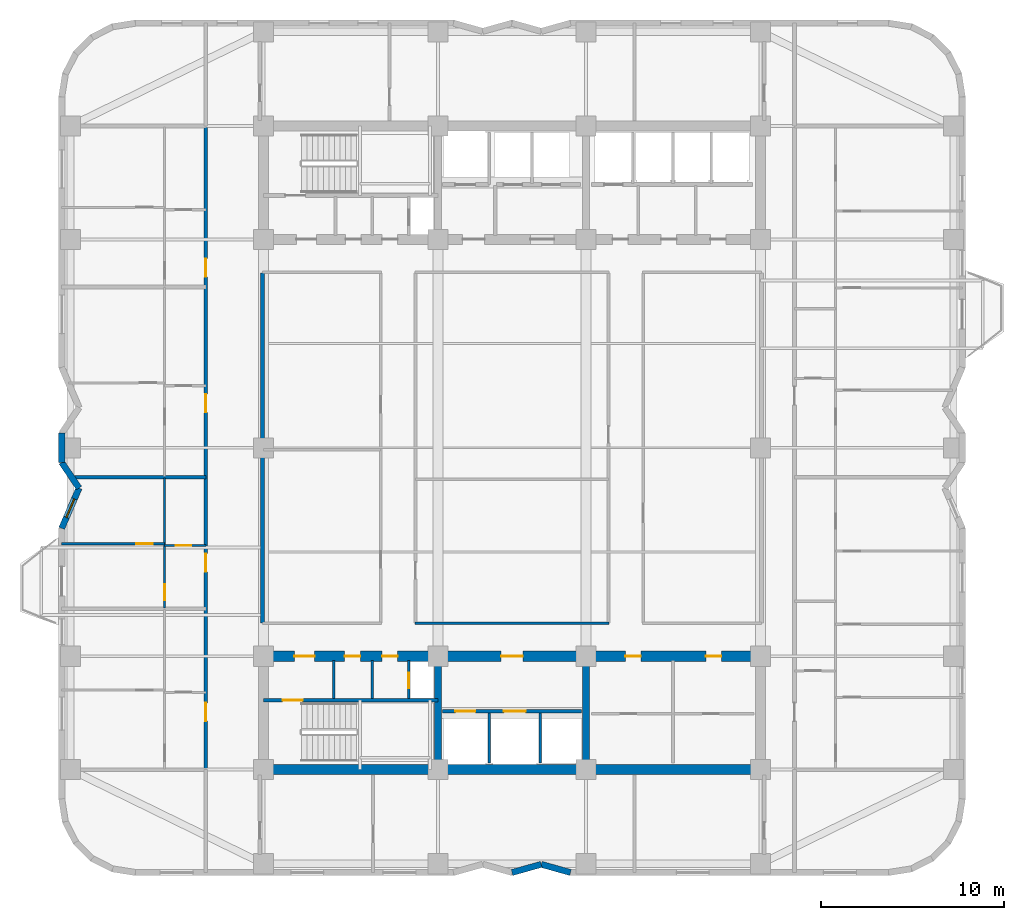
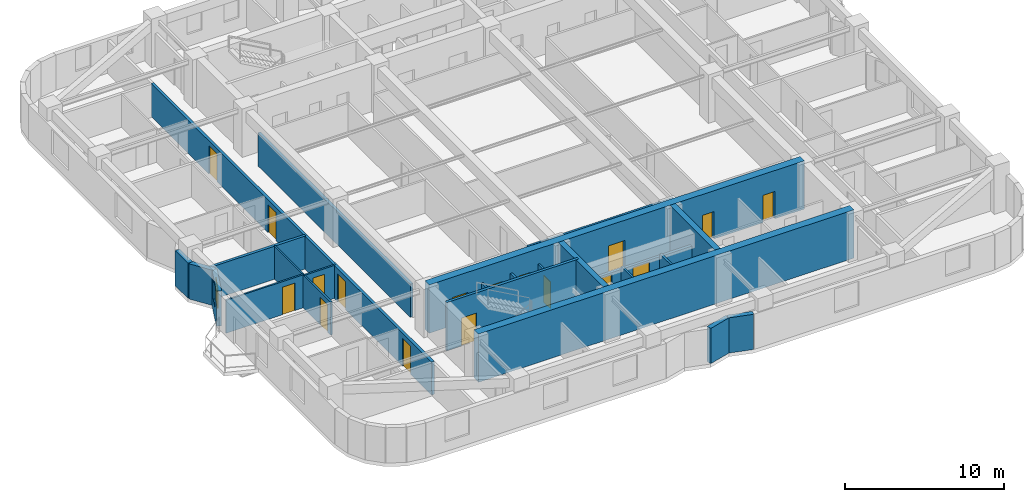
# One storey, part 3 of 9: 23 walls, 17 doors, 1 window, 18 openings.
"""IFC4 building model written with IfcOpenShell, lengths in metres."""

from ifc_helpers import new_model, si_unit, direction, frame, frame_2d, origin, place, context, subcontext, project, spatial, rectangle, extrude, material, layer, layer_set, type_object, element, fill, save


model = new_model("IFC4")

# Units and contexts
model_context = context("Model", 3, precision=1e-05, world=origin(), true_north=direction((0.0, 1.0)))
body_context = subcontext(model_context, "Body", "Model", "MODEL_VIEW")
ifc_project = project(units=[si_unit("LENGTHUNIT", "METRE"), si_unit("AREAUNIT", "SQUARE_METRE"), si_unit("VOLUMEUNIT", "CUBIC_METRE"), si_unit("PLANEANGLEUNIT", "RADIAN"), si_unit("MASSUNIT", "GRAM", prefix="KILO")], contexts=[model_context])

# Site, building, storey
site_placement = place(None, origin())
site = spatial("IfcSite", under=ifc_project, at=site_placement, CompositionType="ELEMENT")
building_placement = place(site_placement, origin())
building = spatial("IfcBuilding", under=site, at=building_placement, Name="Svetorya Sky Lyceum", CompositionType="ELEMENT")
storey_placement = place(building_placement, frame((0.0, 0.0, 103.10009765625)))
storey = spatial("IfcBuildingStorey", under=building, at=storey_placement, Name="L25", CompositionType="ELEMENT", Elevation=103.10009765625)

# Walls
ifc_material_1 = material(Name="Concrete C40/50", Category="concrete")
ifc_layer_1 = layer(ifc_material_1, 0.39990234375)
ifc_layer_set_1 = layer_set([ifc_layer_1], Name="Concrete C40/50")
wall_type_1 = type_object("IfcWallType", Name="WL-CORE-400", PredefinedType="SHEAR", material=ifc_layer_set_1)
for number, where, z_axis, x_axis, name in (
    (1, (35.14990234375, 10.875, 0.0), (0.0, 0.0, 1.0), (0.0, 1.0, 0.0), "L25 SC Internal Shear Web WEB1"),
    (2, (43.25, 10.875, 0.0), (0.0, 0.0, 1.0), (0.0, 1.0, 0.0), "L25 SC Internal Shear Web WEB2"),
):
    element("IfcWall", number, at=place(storey_placement, frame(where, z_axis=z_axis, x_axis=x_axis)), inside=storey, type_object=wall_type_1, Name=name, PredefinedType="SHEAR", context=body_context, shape_type="SweptSolid", body=[
        extrude(rectangle(XDim=5.64990234375, YDim=0.39990234375, at=frame_2d((2.824951171875, 0.0))), origin(), (0.0, 0.0, 1.0), 3.699951171875),
    ])
ifc_material_2 = material(Name="Concrete C60/75", Category="concrete")
ifc_layer_2 = layer(ifc_material_2, 0.550048828125)
ifc_layer_set_2 = layer_set([ifc_layer_2], Name="Concrete C60/75")
wall_type_2 = type_object("IfcWallType", Name="WL-CORE-550", PredefinedType="SHEAR", material=ifc_layer_set_2)
wall_1_placement = place(storey_placement, frame((52.800048828125, 10.60009765625, 0.0), z_axis=(0.0, 0.0, 1.0), x_axis=(-1.0, 0.0, 0.0)))
element("IfcWall", 3, at=wall_1_placement, inside=storey, type_object=wall_type_2, Name="L25 SC Outer Core Shear Wall", PredefinedType="SHEAR", context=body_context, shape_type="SweptSolid", body=[
    extrude(rectangle(XDim=27.199951171875, YDim=0.550048828125, at=frame_2d((13.60009765625, 0.0))), origin(), (0.0, 0.0, 1.0), 3.699951171875),
])

# Wall, openings, doors
wall_2_placement = place(storey_placement, frame((25.60009765625, 16.800048828125, 0.0), z_axis=(0.0, 0.0, 1.0), x_axis=(1.0, 0.0, 0.0)))
wall_2 = element("IfcWall", 4, at=wall_2_placement, inside=storey, type_object=wall_type_2, Name="L25 SC Inner Core Shear Wall", PredefinedType="SHEAR", context=body_context, shape_type="SweptSolid", body=[
    extrude(rectangle(XDim=27.199951171875, YDim=0.550048828125, at=frame_2d((13.60009765625, 0.0))), origin(), (0.0, 0.0, 1.0), 3.699951171875),
])
opening_1_placement = place(wall_2_placement, frame((1.699951171875, 0.0, 0.0)))
opening_1 = element("IfcOpeningElement", 5, at=opening_1_placement, cuts=wall_2, Name="Opening D-ST1", PredefinedType="OPENING", context=body_context, shape_type="SweptSolid", body=[
    extrude(rectangle(XDim=1.10009765625, YDim=2.14990234375, at=frame_2d((0.550048828125, 1.074951171875))), frame((0.0, 0.284912109375, 0.0), z_axis=(0.0, -1.0, 0.0), x_axis=(1.0, 0.0, 0.0)), (0.0, 0.0, 1.0), 0.570068359375),
])
opening_2_placement = place(wall_2_placement, frame((4.449951171875, 0.0, 0.0)))
opening_2 = element("IfcOpeningElement", 6, at=opening_2_placement, cuts=wall_2, Name="Opening D-CWC1", PredefinedType="OPENING", context=body_context, shape_type="SweptSolid", body=[
    extrude(rectangle(XDim=0.85009765625, YDim=2.10009765625, at=frame_2d((0.425048828125, 1.050048828125))), frame((0.0, 0.284912109375, 0.0), z_axis=(0.0, -1.0, 0.0), x_axis=(1.0, 0.0, 0.0)), (0.0, 0.0, 1.0), 0.570068359375),
])
opening_3_placement = place(wall_2_placement, frame((6.5, 0.0, 0.0)))
opening_3 = element("IfcOpeningElement", 7, at=opening_3_placement, cuts=wall_2, Name="Opening D-CWC1", PredefinedType="OPENING", context=body_context, shape_type="SweptSolid", body=[
    extrude(rectangle(XDim=0.85009765625, YDim=2.10009765625, at=frame_2d((0.425048828125, 1.050048828125))), frame((0.0, 0.284912109375, 0.0), z_axis=(0.0, -1.0, 0.0), x_axis=(1.0, 0.0, 0.0)), (0.0, 0.0, 1.0), 0.570068359375),
])
opening_4_placement = place(wall_2_placement, frame((13.0, 0.0, 0.0)))
opening_4 = element("IfcOpeningElement", 8, at=opening_4_placement, cuts=wall_2, Name="Opening D-FL1", PredefinedType="OPENING", context=body_context, shape_type="SweptSolid", body=[
    extrude(rectangle(XDim=1.199951171875, YDim=2.14990234375, at=frame_2d((0.60009765625, 1.074951171875))), frame((0.0, 0.284912109375, 0.0), z_axis=(0.0, -1.0, 0.0), x_axis=(1.0, 0.0, 0.0)), (0.0, 0.0, 1.0), 0.570068359375),
])
opening_5_placement = place(wall_2_placement, frame((19.800048828125, 0.0, 0.0)))
opening_5 = element("IfcOpeningElement", 9, at=opening_5_placement, cuts=wall_2, Name="Opening D-CWC1", PredefinedType="OPENING", context=body_context, shape_type="SweptSolid", body=[
    extrude(rectangle(XDim=0.85009765625, YDim=2.10009765625, at=frame_2d((0.425048828125, 1.050048828125))), frame((0.0, 0.284912109375, 0.0), z_axis=(0.0, -1.0, 0.0), x_axis=(1.0, 0.0, 0.0)), (0.0, 0.0, 1.0), 0.570068359375),
])
opening_6_placement = place(wall_2_placement, frame((24.199951171875, 0.0, 0.0)))
opening_6 = element("IfcOpeningElement", 10, at=opening_6_placement, cuts=wall_2, Name="Opening D-CWC1", PredefinedType="OPENING", context=body_context, shape_type="SweptSolid", body=[
    extrude(rectangle(XDim=0.85009765625, YDim=2.10009765625, at=frame_2d((0.425048828125, 1.050048828125))), frame((0.0, 0.284912109375, 0.0), z_axis=(0.0, -1.0, 0.0), x_axis=(1.0, 0.0, 0.0)), (0.0, 0.0, 1.0), 0.570068359375),
])
ifc_material_3 = material(Name="Fire-rated galvanized steel core service closet door", Category="steel")
door_type_1 = type_object("IfcDoorType", Name="DR-CWET-850", OperationType="SINGLE_SWING_LEFT", PredefinedType="DOOR", material=ifc_material_3)
door_1_placement = place(opening_2_placement, origin())
door_1 = element("IfcDoor", 11, at=door_1_placement, inside=storey, type_object=door_type_1, Name="L25 South Mop Closet Door", OperationType="SINGLE_SWING_LEFT", OverallHeight=2.10009765625, OverallWidth=0.85009765625, PredefinedType="DOOR", context=body_context, shape_type="SweptSolid", body=[
    extrude(rectangle(XDim=0.85009765625, YDim=2.10009765625, at=frame_2d((0.425048828125, 1.050048828125))), frame((0.0, 0.02490234375, 0.0), z_axis=(0.0, -1.0, 0.0), x_axis=(1.0, 0.0, 0.0)), (0.0, 0.0, 1.0), 0.050048828125),
])
fill(opening_2, door_1)
door_2_placement = place(opening_3_placement, origin())
door_2 = element("IfcDoor", 12, at=door_2_placement, inside=storey, type_object=door_type_1, Name="L25 South West WC Door", OperationType="SINGLE_SWING_RIGHT", OverallHeight=2.10009765625, OverallWidth=0.85009765625, PredefinedType="DOOR", context=body_context, shape_type="SweptSolid", body=[
    extrude(rectangle(XDim=0.85009765625, YDim=2.10009765625, at=frame_2d((0.425048828125, 1.050048828125))), frame((0.0, 0.02490234375, 0.0), z_axis=(0.0, -1.0, 0.0), x_axis=(1.0, 0.0, 0.0)), (0.0, 0.0, 1.0), 0.050048828125),
])
fill(opening_3, door_2)
door_3_placement = place(opening_5_placement, origin())
door_3 = element("IfcDoor", 13, at=door_3_placement, inside=storey, type_object=door_type_1, Name="L25 Housekeeping Door", OperationType="SINGLE_SWING_LEFT", OverallHeight=2.10009765625, OverallWidth=0.85009765625, PredefinedType="DOOR", context=body_context, shape_type="SweptSolid", body=[
    extrude(rectangle(XDim=0.85009765625, YDim=2.10009765625, at=frame_2d((0.425048828125, 1.050048828125))), frame((0.0, 0.02490234375, 0.0), z_axis=(0.0, -1.0, 0.0), x_axis=(1.0, 0.0, 0.0)), (0.0, 0.0, 1.0), 0.050048828125),
])
fill(opening_5, door_3)
door_4_placement = place(opening_6_placement, origin())
door_4 = element("IfcDoor", 14, at=door_4_placement, inside=storey, type_object=door_type_1, Name="L25 South WC Door", OperationType="SINGLE_SWING_RIGHT", OverallHeight=2.10009765625, OverallWidth=0.85009765625, PredefinedType="DOOR", context=body_context, shape_type="SweptSolid", body=[
    extrude(rectangle(XDim=0.85009765625, YDim=2.10009765625, at=frame_2d((0.425048828125, 1.050048828125))), frame((0.0, 0.02490234375, 0.0), z_axis=(0.0, -1.0, 0.0), x_axis=(1.0, 0.0, 0.0)), (0.0, 0.0, 1.0), 0.050048828125),
])
fill(opening_6, door_4)
ifc_material_4 = material(Name="Powder-coated insulated galvanized stair fire door")
door_type_2 = type_object("IfcDoorType", Name="DR-FIRE-1100", OperationType="SINGLE_SWING_LEFT", PredefinedType="DOOR", material=ifc_material_4)
door_5_placement = place(opening_1_placement, origin())
door_5 = element("IfcDoor", 15, at=door_5_placement, inside=storey, type_object=door_type_2, Name="L25 South Stair Airlock Door", OperationType="SINGLE_SWING_RIGHT", OverallHeight=2.14990234375, OverallWidth=1.10009765625, PredefinedType="DOOR", context=body_context, shape_type="SweptSolid", body=[
    extrude(rectangle(XDim=1.10009765625, YDim=2.14990234375, at=frame_2d((0.550048828125, 1.074951171875))), frame((0.0, 0.02490234375, 0.0), z_axis=(0.0, -1.0, 0.0), x_axis=(1.0, 0.0, 0.0)), (0.0, 0.0, 1.0), 0.050048828125),
])
fill(opening_1, door_5)
ifc_material_5 = material(Name="Powder-coated insulated galvanized fire door")
door_type_3 = type_object("IfcDoorType", Name="DR-FIRE-1200", OperationType="SINGLE_SWING_LEFT", PredefinedType="DOOR", material=ifc_material_5)
door_6_placement = place(opening_4_placement, origin())
door_6 = element("IfcDoor", 16, at=door_6_placement, inside=storey, type_object=door_type_3, Name="L25 South Firefighting Lift Lobby Door", OperationType="SINGLE_SWING_LEFT", OverallHeight=2.14990234375, OverallWidth=1.199951171875, PredefinedType="DOOR", context=body_context, shape_type="SweptSolid", body=[
    extrude(rectangle(XDim=1.199951171875, YDim=2.14990234375, at=frame_2d((0.60009765625, 1.074951171875))), frame((0.0, 0.02490234375, 0.0), z_axis=(0.0, -1.0, 0.0), x_axis=(1.0, 0.0, 0.0)), (0.0, 0.0, 1.0), 0.050048828125),
])
fill(opening_4, door_6)

# Walls
ifc_material_6 = material(Name="Putilovo limestone rainscreen on autoclaved cellular masonry", Category="masonry")
ifc_layer_3 = layer(ifc_material_6, 0.340087890625)
ifc_layer_set_3 = layer_set([ifc_layer_3], Name="Putilovo limestone rainscreen on autoclaved cellular masonry")
wall_type_3 = type_object("IfcWallType", Name="WL-EXT-340", PredefinedType="SOLIDWALL", material=ifc_layer_set_3)
wall_3_placement = place(storey_placement, frame((39.199951171875, 4.969970703125, 0.0), z_axis=(0.0, 0.0, 1.0), x_axis=(0.962662902433, 0.270703040766, 0.0)))
element("IfcWall", 17, at=wall_3_placement, inside=storey, type_object=wall_type_3, Name="L25 Limestone Exterior Wall 9M", PredefinedType="SOLIDWALL", context=body_context, shape_type="SweptSolid", body=[
    extrude(rectangle(XDim=1.662109375, YDim=0.340087890625, at=frame_2d((0.8310546875, 0.0))), origin(), (0.0, 0.0, 1.0), 2.699951171875),
])
wall_4_placement = place(storey_placement, frame((40.800048828125, 5.419921875, 0.0), z_axis=(0.0, 0.0, 1.0), x_axis=(0.962652136636, -0.270741322725, 0.0)))
element("IfcWall", 18, at=wall_4_placement, inside=storey, type_object=wall_type_3, Name="L25 Limestone Exterior Wall 10M", PredefinedType="SOLIDWALL", context=body_context, shape_type="SweptSolid", body=[
    extrude(rectangle(XDim=1.661865234375, YDim=0.340087890625, at=frame_2d((0.8310546875, 0.0))), origin(), (0.0, 0.0, 1.0), 2.699951171875),
])
wall_5_placement = place(storey_placement, frame((14.570068359375, 29.0, 0.0), z_axis=(0.0, 0.0, 1.0), x_axis=(0.0, -1.0, 0.0)))
element("IfcWall", 19, at=wall_5_placement, inside=storey, type_object=wall_type_3, Name="L25 Limestone Exterior Wall 43M", PredefinedType="SOLIDWALL", context=body_context, shape_type="SweptSolid", body=[
    extrude(rectangle(XDim=1.60009765625, YDim=0.340087890625, at=frame_2d((0.800048828125, 0.0))), origin(), (0.0, 0.0, 1.0), 2.699951171875),
])
wall_6_placement = place(storey_placement, frame((14.570068359375, 27.39990234375, 0.0), z_axis=(0.0, 0.0, 1.0), x_axis=(0.561508476251, -0.827470985049, 0.0)))
element("IfcWall", 20, at=wall_6_placement, inside=storey, type_object=wall_type_3, Name="L25 Limestone Exterior Wall 44M", PredefinedType="SOLIDWALL", context=body_context, shape_type="SweptSolid", body=[
    extrude(rectangle(XDim=1.69189453125, YDim=0.340087890625, at=frame_2d((0.845947265625, 0.0))), origin(), (0.0, 0.0, 1.0), 2.699951171875),
])

# Wall, opening, window
wall_7_placement = place(storey_placement, frame((15.52001953125, 26.0, 0.0), z_axis=(0.0, 0.0, 1.0), x_axis=(-0.396426258231, -0.918066567186, 0.0)))
wall_7 = element("IfcWall", 21, at=wall_7_placement, inside=storey, type_object=wall_type_3, Name="L25 Limestone Exterior Wall 45M", PredefinedType="SOLIDWALL", context=body_context, shape_type="SweptSolid", body=[
    extrude(rectangle(XDim=2.396240234375, YDim=0.340087890625, at=frame_2d((1.1982421875, 0.0))), origin(), (0.0, 0.0, 1.0), 2.699951171875),
])
opening_7_placement = place(wall_7_placement, frame((0.648193359375, 0.0, 0.889892578125)))
opening_7 = element("IfcOpeningElement", 22, at=opening_7_placement, cuts=wall_7, Name="Opening W-R3", PredefinedType="OPENING", context=body_context, shape_type="SweptSolid", body=[
    extrude(rectangle(XDim=1.10009765625, YDim=1.64990234375, at=frame_2d((0.550048828125, 0.824951171875))), frame((0.0, 0.179931640625, 0.0), z_axis=(0.0, -1.0, 0.0), x_axis=(1.0, 0.0, 0.0)), (0.0, 0.0, 1.0), 0.360107421875),
])
ifc_material_7 = material(Name="Thermally broken aluminium frame with triple low-E glazing", Category="aluminium")
window_type = type_object("IfcWindowType", Name="WN-RES-110", PartitioningType="SINGLE_PANEL", PredefinedType="WINDOW", material=ifc_material_7)
window_placement = place(opening_7_placement, origin())
window = element("IfcWindow", 23, at=window_placement, inside=storey, type_object=window_type, Name="L25 Facade Window W-R3.45M.1", OverallHeight=1.64990234375, OverallWidth=1.10009765625, PartitioningType="SINGLE_PANEL", PredefinedType="WINDOW", context=body_context, shape_type="SweptSolid", body=[
    extrude(rectangle(XDim=1.10009765625, YDim=1.64990234375, at=frame_2d((0.550048828125, 0.824951171875))), frame((0.0, 0.030029296875, 0.0), z_axis=(0.0, -1.0, 0.0), x_axis=(1.0, 0.0, 0.0)), (0.0, 0.0, 1.0), 0.06005859375),
])
fill(opening_7, window)

# Wall, opening, door
ifc_material_8 = material(Name="Twin-stud galvanized framing with double fireboard", Category="gypsum")
ifc_layer_4 = layer(ifc_material_8, 0.1201171875)
ifc_layer_set_4 = layer_set([ifc_layer_4], Name="Twin-stud galvanized framing with double fireboard")
wall_type_4 = type_object("IfcWallType", Name="WL-PART-120", PredefinedType="PARTITIONING", material=ifc_layer_set_4)
wall_8_placement = place(storey_placement, frame((20.199951171875, 22.860107421875, 0.0), z_axis=(0.0, 0.0, 1.0), x_axis=(1.0, 0.0, 0.0)))
wall_8 = element("IfcWall", 24, at=wall_8_placement, inside=storey, type_object=wall_type_4, Name="L25 Interior Partition W2-WH1", PredefinedType="PARTITIONING", context=body_context, shape_type="SweptSolid", body=[
    extrude(rectangle(XDim=2.25, YDim=0.1201171875, at=frame_2d((1.125, 0.0))), origin(), (0.0, 0.0, 1.0), 2.52978515625),
])
opening_8_placement = place(wall_8_placement, frame((0.60009765625, 0.0, 0.0)))
opening_8 = element("IfcOpeningElement", 25, at=opening_8_placement, cuts=wall_8, Name="Opening D-BT1", PredefinedType="OPENING", context=body_context, shape_type="SweptSolid", body=[
    extrude(rectangle(XDim=0.85009765625, YDim=2.10009765625, at=frame_2d((0.425048828125, 1.050048828125))), frame((0.0, 0.070068359375, 0.0), z_axis=(0.0, -1.0, 0.0), x_axis=(1.0, 0.0, 0.0)), (0.0, 0.0, 1.0), 0.14013671875),
])
ifc_material_9 = material(Name="Moisture-resistant laminate bathroom door")
door_type_4 = type_object("IfcDoorType", Name="DR-WET-850", OperationType="SINGLE_SWING_LEFT", PredefinedType="DOOR", material=ifc_material_9)
door_7_placement = place(opening_8_placement, origin())
door_7 = element("IfcDoor", 26, at=door_7_placement, inside=storey, type_object=door_type_4, Name="Apartment W2 Bathroom Door", OperationType="SINGLE_SWING_RIGHT", OverallHeight=2.10009765625, OverallWidth=0.85009765625, PredefinedType="DOOR", context=body_context, shape_type="SweptSolid", body=[
    extrude(rectangle(XDim=0.85009765625, YDim=2.10009765625, at=frame_2d((0.425048828125, 1.050048828125))), frame((0.0, 0.02490234375, 0.0), z_axis=(0.0, -1.0, 0.0), x_axis=(1.0, 0.0, 0.0)), (0.0, 0.0, 1.0), 0.050048828125),
])
fill(opening_8, door_7)

wall_9_placement = place(storey_placement, frame((14.570068359375, 22.949951171875, 0.0), z_axis=(0.0, 0.0, 1.0), x_axis=(1.0, 0.0, 0.0)))
wall_9 = element("IfcWall", 27, at=wall_9_placement, inside=storey, type_object=wall_type_4, Name="L25 Interior Partition W2-WL1", PredefinedType="PARTITIONING", context=body_context, shape_type="SweptSolid", body=[
    extrude(rectangle(XDim=5.6298828125, YDim=0.1201171875, at=frame_2d((2.81494140625, 0.0))), origin(), (0.0, 0.0, 1.0), 2.52978515625),
])
opening_9_placement = place(wall_9_placement, frame((4.080078125, 0.0, 0.0)))
opening_9 = element("IfcOpeningElement", 28, at=opening_9_placement, cuts=wall_9, Name="Opening D-RM1", PredefinedType="OPENING", context=body_context, shape_type="SweptSolid", body=[
    extrude(rectangle(XDim=0.89990234375, YDim=2.10009765625, at=frame_2d((0.449951171875, 1.050048828125))), frame((0.0, 0.070068359375, 0.0), z_axis=(0.0, -1.0, 0.0), x_axis=(1.0, 0.0, 0.0)), (0.0, 0.0, 1.0), 0.14013671875),
])
ifc_material_10 = material(Name="Lacquered birch veneer internal door")
door_type_5 = type_object("IfcDoorType", Name="DR-INT-900", OperationType="SINGLE_SWING_LEFT", PredefinedType="DOOR", material=ifc_material_10)
door_8_placement = place(opening_9_placement, origin())
door_8 = element("IfcDoor", 29, at=door_8_placement, inside=storey, type_object=door_type_5, Name="Apartment W2 Bedroom 1 Door", OperationType="SINGLE_SWING_RIGHT", OverallHeight=2.10009765625, OverallWidth=0.89990234375, PredefinedType="DOOR", context=body_context, shape_type="SweptSolid", body=[
    extrude(rectangle(XDim=0.89990234375, YDim=2.10009765625, at=frame_2d((0.449951171875, 1.050048828125))), frame((0.0, 0.02490234375, 0.0), z_axis=(0.0, -1.0, 0.0), x_axis=(1.0, 0.0, 0.0)), (0.0, 0.0, 1.0), 0.050048828125),
])
fill(opening_9, door_8)

wall_10_placement = place(storey_placement, frame((20.199951171875, 19.43994140625, 0.0), z_axis=(0.0, 0.0, 1.0), x_axis=(0.0, 1.0, 0.0)))
wall_10 = element("IfcWall", 30, at=wall_10_placement, inside=storey, type_object=wall_type_4, Name="L25 Interior Partition W2-WV", PredefinedType="PARTITIONING", context=body_context, shape_type="SweptSolid", body=[
    extrude(rectangle(XDim=7.1201171875, YDim=0.1201171875, at=frame_2d((3.56005859375, 0.0))), origin(), (0.0, 0.0, 1.0), 2.52978515625),
])
opening_10_placement = place(wall_10_placement, frame((0.409912109375, 0.0, 0.0)))
opening_10 = element("IfcOpeningElement", 31, at=opening_10_placement, cuts=wall_10, Name="Opening D-RM1", PredefinedType="OPENING", context=body_context, shape_type="SweptSolid", body=[
    extrude(rectangle(XDim=0.89990234375, YDim=2.10009765625, at=frame_2d((0.449951171875, 1.050048828125))), frame((0.0, 0.070068359375, 0.0), z_axis=(0.0, -1.0, 0.0), x_axis=(1.0, 0.0, 0.0)), (0.0, 0.0, 1.0), 0.14013671875),
])
door_9_placement = place(opening_10_placement, origin())
door_9 = element("IfcDoor", 32, at=door_9_placement, inside=storey, type_object=door_type_5, Name="Apartment W2 Living Door", OperationType="SINGLE_SWING_LEFT", OverallHeight=2.10009765625, OverallWidth=0.89990234375, PredefinedType="DOOR", context=body_context, shape_type="SweptSolid", body=[
    extrude(rectangle(XDim=0.89990234375, YDim=2.10009765625, at=frame_2d((0.449951171875, 1.050048828125))), frame((0.0, 0.02490234375, 0.0), z_axis=(0.0, -1.0, 0.0), x_axis=(1.0, 0.0, 0.0)), (0.0, 0.0, 1.0), 0.050048828125),
])
fill(opening_10, door_9)

# Walls
ifc_material_11 = material(Name="Autoclaved cellular masonry blockwork with acoustic render", Category="masonry")
ifc_layer_5 = layer(ifc_material_11, 0.14990234375)
ifc_layer_set_5 = layer_set([ifc_layer_5], Name="Autoclaved cellular masonry blockwork with acoustic render")
wall_type_5 = type_object("IfcWallType", Name="WL-PART-150", PredefinedType="PARTITIONING", material=ifc_layer_set_5)
for number, where, z_axis, x_axis, name in (
    (33, (29.449951171875, 14.5, 0.0), (0.0, 0.0, 1.0), (0.0, 1.0, 0.0), "L25 Interior Partition SC-SWD1"),
    (34, (31.550048828125, 14.5, 0.0), (0.0, 0.0, 1.0), (0.0, 1.0, 0.0), "L25 Interior Partition SC-SWD2"),
):
    element("IfcWall", number, at=place(storey_placement, frame(where, z_axis=z_axis, x_axis=x_axis)), inside=storey, type_object=wall_type_5, Name=name, PredefinedType="PARTITIONING", context=body_context, shape_type="SweptSolid", body=[
        extrude(rectangle(XDim=2.080078125, YDim=0.14990234375, at=frame_2d((1.0400390625, 0.0))), origin(), (0.0, 0.0, 1.0), 2.52978515625),
    ])

# Wall, opening, door
wall_11_placement = place(storey_placement, frame((33.550048828125, 14.5, 0.0), z_axis=(0.0, 0.0, 1.0), x_axis=(0.0, 1.0, 0.0)))
wall_11 = element("IfcWall", 35, at=wall_11_placement, inside=storey, type_object=wall_type_5, Name="L25 Interior Partition SC-SWD3", PredefinedType="PARTITIONING", context=body_context, shape_type="SweptSolid", body=[
    extrude(rectangle(XDim=2.080078125, YDim=0.14990234375, at=frame_2d((1.0400390625, 0.0))), origin(), (0.0, 0.0, 1.0), 2.52978515625),
])
opening_11_placement = place(wall_11_placement, frame((0.550048828125, 0.0, 0.0)))
opening_11 = element("IfcOpeningElement", 36, at=opening_11_placement, cuts=wall_11, Name="Opening D-SH1", PredefinedType="OPENING", context=body_context, shape_type="SweptSolid", body=[
    extrude(rectangle(XDim=0.85009765625, YDim=2.050048828125, at=frame_2d((0.425048828125, 1.02490234375))), frame((0.0, 0.0849609375, 0.0), z_axis=(0.0, -1.0, 0.0), x_axis=(1.0, 0.0, 0.0)), (0.0, 0.0, 1.0), 0.169921875),
])
ifc_material_12 = material(Name="Insulated galvanized riser inspection fire door")
door_type_6 = type_object("IfcDoorType", Name="DR-SHFT-850", OperationType="SINGLE_SWING_LEFT", PredefinedType="TRAPDOOR", material=ifc_material_12)
door_10_placement = place(opening_11_placement, origin())
door_10 = element("IfcDoor", 37, at=door_10_placement, inside=storey, type_object=door_type_6, Name="L25 South Riser Access Door", OperationType="SINGLE_SWING_RIGHT", OverallHeight=2.050048828125, OverallWidth=0.85009765625, PredefinedType="TRAPDOOR", context=body_context, shape_type="SweptSolid", body=[
    extrude(rectangle(XDim=0.85009765625, YDim=2.050048828125, at=frame_2d((0.425048828125, 1.02490234375))), frame((0.0, 0.02490234375, 0.0), z_axis=(0.0, -1.0, 0.0), x_axis=(1.0, 0.0, 0.0)), (0.0, 0.0, 1.0), 0.050048828125),
])
fill(opening_11, door_10)

# Walls
for number, where, z_axis, x_axis, name in (
    (38, (37.949951171875, 10.949951171875, 0.0), (0.0, 0.0, 1.0), (0.0, 1.0, 0.0), "L25 Interior Partition SC-SHD1"),
    (39, (40.75, 10.949951171875, 0.0), (0.0, 0.0, 1.0), (0.0, 1.0, 0.0), "L25 Interior Partition SC-SHD2"),
):
    element("IfcWall", number, at=place(storey_placement, frame(where, z_axis=z_axis, x_axis=x_axis)), inside=storey, type_object=wall_type_5, Name=name, PredefinedType="PARTITIONING", context=body_context, shape_type="SweptSolid", body=[
        extrude(rectangle(XDim=2.75, YDim=0.14990234375, at=frame_2d((1.375, 0.0))), origin(), (0.0, 0.0, 1.0), 2.52978515625),
    ])
wall_12_placement = place(storey_placement, frame((33.89990234375, 18.60009765625, 0.0), z_axis=(0.0, 0.0, 1.0), x_axis=(1.0, 0.0, 0.0)))
element("IfcWall", 40, at=wall_12_placement, inside=storey, type_object=wall_type_5, Name="L25 Interior Partition RL-CS-M", PredefinedType="PARTITIONING", context=body_context, shape_type="SweptSolid", body=[
    extrude(rectangle(XDim=10.60009765625, YDim=0.14990234375, at=frame_2d((5.300048828125, 0.0))), origin(), (0.0, 0.0, 1.0), 2.52978515625),
])

# Wall, openings, doors
ifc_material_13 = material(Name="Autoclaved cellular masonry blockwork with gypsum plaster", Category="masonry")
ifc_layer_6 = layer(ifc_material_13, 0.199951171875)
ifc_layer_set_6 = layer_set([ifc_layer_6], Name="Autoclaved cellular masonry blockwork with gypsum plaster")
wall_type_6 = type_object("IfcWallType", Name="WL-PART-200", PredefinedType="PARTITIONING", material=ifc_layer_set_6)
wall_13_placement = place(storey_placement, frame((35.39990234375, 13.800048828125, 0.0), z_axis=(0.0, 0.0, 1.0), x_axis=(1.0, 0.0, 0.0)))
wall_13 = element("IfcWall", 41, at=wall_13_placement, inside=storey, type_object=wall_type_6, Name="L25 Interior Partition SC-FLW", PredefinedType="PARTITIONING", context=body_context, shape_type="SweptSolid", body=[
    extrude(rectangle(XDim=7.60009765625, YDim=0.199951171875, at=frame_2d((3.800048828125, 0.0))), origin(), (0.0, 0.0, 1.0), 2.2998046875),
])
opening_12_placement = place(wall_13_placement, frame((0.699951171875, 0.0, 0.0)))
opening_12 = element("IfcOpeningElement", 42, at=opening_12_placement, cuts=wall_13, Name="Opening LD-FL", PredefinedType="OPENING", context=body_context, shape_type="SweptSolid", body=[
    extrude(rectangle(XDim=1.10009765625, YDim=2.14990234375, at=frame_2d((0.550048828125, 1.074951171875))), frame((0.0, 0.10986328125, 0.0), z_axis=(0.0, -1.0, 0.0), x_axis=(1.0, 0.0, 0.0)), (0.0, 0.0, 1.0), 0.219970703125),
])
opening_13_placement = place(wall_13_placement, frame((3.35009765625, 0.0, 0.0)))
opening_13 = element("IfcOpeningElement", 43, at=opening_13_placement, cuts=wall_13, Name="Opening LD-SV", PredefinedType="OPENING", context=body_context, shape_type="SweptSolid", body=[
    extrude(rectangle(XDim=1.199951171875, YDim=2.14990234375, at=frame_2d((0.60009765625, 1.074951171875))), frame((0.0, 0.10986328125, 0.0), z_axis=(0.0, -1.0, 0.0), x_axis=(1.0, 0.0, 0.0)), (0.0, 0.0, 1.0), 0.219970703125),
])
ifc_material_14 = material(Name="Fire-rated stainless AISI 304 firefighting lift landing door")
door_type_7 = type_object("IfcDoorType", Name="DR-LIFT-1100", OperationType="SLIDING_TO_LEFT", PredefinedType="DOOR", material=ifc_material_14)
door_11_placement = place(opening_12_placement, origin())
door_11 = element("IfcDoor", 44, at=door_11_placement, inside=storey, type_object=door_type_7, Name="L25 Firefighting Lift FL2 Landing Door", OperationType="SLIDING_TO_LEFT", OverallHeight=2.14990234375, OverallWidth=1.10009765625, PredefinedType="DOOR", context=body_context, shape_type="SweptSolid", body=[
    extrude(rectangle(XDim=1.10009765625, YDim=2.14990234375, at=frame_2d((0.550048828125, 1.074951171875))), frame((0.0, 0.02490234375, 0.0), z_axis=(0.0, -1.0, 0.0), x_axis=(1.0, 0.0, 0.0)), (0.0, 0.0, 1.0), 0.050048828125),
])
fill(opening_12, door_11)
ifc_material_15 = material(Name="Brushed stainless AISI 304 telescopic lift landing door")
door_type_8 = type_object("IfcDoorType", Name="DR-LIFT-1200", OperationType="SLIDING_TO_LEFT", PredefinedType="DOOR", material=ifc_material_15)
door_12_placement = place(opening_13_placement, origin())
door_12 = element("IfcDoor", 45, at=door_12_placement, inside=storey, type_object=door_type_8, Name="L25 Service Lift SVL1 Landing Door", OperationType="SLIDING_TO_LEFT", OverallHeight=2.14990234375, OverallWidth=1.199951171875, PredefinedType="DOOR", context=body_context, shape_type="SweptSolid", body=[
    extrude(rectangle(XDim=1.199951171875, YDim=2.14990234375, at=frame_2d((0.60009765625, 1.074951171875))), frame((0.0, 0.02490234375, 0.0), z_axis=(0.0, -1.0, 0.0), x_axis=(1.0, 0.0, 0.0)), (0.0, 0.0, 1.0), 0.050048828125),
])
fill(opening_13, door_12)

# Walls
wall_14_placement = place(storey_placement, frame((25.550048828125, 18.6298828125, 0.0), z_axis=(0.0, 0.0, 1.0), x_axis=(0.0, 1.0, 0.0)))
element("IfcWall", 46, at=wall_14_placement, inside=storey, type_object=wall_type_6, Name="L25 Interior Partition W-CEN-SEP", PredefinedType="PARTITIONING", context=body_context, shape_type="SweptSolid", body=[
    extrude(rectangle(XDim=19.14013671875, YDim=0.199951171875, at=frame_2d((9.570068359375, 0.0))), origin(), (0.0, 0.0, 1.0), 2.52978515625),
])
wall_15_placement = place(storey_placement, frame((15.11279296875, 26.60009765625, 0.0), z_axis=(0.0, 0.0, 1.0), x_axis=(1.0, 0.0, 0.0)))
element("IfcWall", 47, at=wall_15_placement, inside=storey, type_object=wall_type_6, Name="L25 Interior Partition W-PARTY-2", PredefinedType="PARTITIONING", context=body_context, shape_type="SweptSolid", body=[
    extrude(rectangle(XDim=7.337158203125, YDim=0.199951171875, at=frame_2d((3.66845703125, 0.0))), origin(), (0.0, 0.0, 1.0), 2.52978515625),
])

# Wall, openings, doors
wall_16_placement = place(storey_placement, frame((22.449951171875, 10.60009765625, 0.0), z_axis=(0.0, 0.0, 1.0), x_axis=(0.0, 1.0, 0.0)))
wall_16 = element("IfcWall", 48, at=wall_16_placement, inside=storey, type_object=wall_type_6, Name="L25 Interior Partition W-CORRW", PredefinedType="PARTITIONING", context=body_context, shape_type="SweptSolid", body=[
    extrude(rectangle(XDim=35.199951171875, YDim=0.199951171875, at=frame_2d((17.60009765625, 0.0))), origin(), (0.0, 0.0, 1.0), 2.52978515625),
])
opening_14_placement = place(wall_16_placement, frame((2.64990234375, 0.0, 0.0)))
opening_14 = element("IfcOpeningElement", 49, at=opening_14_placement, cuts=wall_16, Name="Opening D-APT1", PredefinedType="OPENING", context=body_context, shape_type="SweptSolid", body=[
    extrude(rectangle(XDim=1.0, YDim=2.14990234375, at=frame_2d((0.5, 1.074951171875))), frame((0.0, 0.10986328125, 0.0), z_axis=(0.0, -1.0, 0.0), x_axis=(1.0, 0.0, 0.0)), (0.0, 0.0, 1.0), 0.219970703125),
])
opening_15_placement = place(wall_16_placement, frame((10.81005859375, 0.0, 0.0)))
opening_15 = element("IfcOpeningElement", 50, at=opening_15_placement, cuts=wall_16, Name="Opening D-APT1", PredefinedType="OPENING", context=body_context, shape_type="SweptSolid", body=[
    extrude(rectangle(XDim=1.0, YDim=2.14990234375, at=frame_2d((0.5, 1.074951171875))), frame((0.0, 0.10986328125, 0.0), z_axis=(0.0, -1.0, 0.0), x_axis=(1.0, 0.0, 0.0)), (0.0, 0.0, 1.0), 0.219970703125),
])
opening_16_placement = place(wall_16_placement, frame((19.5400390625, 0.0, 0.0)))
opening_16 = element("IfcOpeningElement", 51, at=opening_16_placement, cuts=wall_16, Name="Opening D-APT1", PredefinedType="OPENING", context=body_context, shape_type="SweptSolid", body=[
    extrude(rectangle(XDim=1.0, YDim=2.14990234375, at=frame_2d((0.5, 1.074951171875))), frame((0.0, 0.10986328125, 0.0), z_axis=(0.0, -1.0, 0.0), x_axis=(1.0, 0.0, 0.0)), (0.0, 0.0, 1.0), 0.219970703125),
])
opening_17_placement = place(wall_16_placement, frame((26.949951171875, 0.0, 0.0)))
opening_17 = element("IfcOpeningElement", 52, at=opening_17_placement, cuts=wall_16, Name="Opening D-APT1", PredefinedType="OPENING", context=body_context, shape_type="SweptSolid", body=[
    extrude(rectangle(XDim=1.0, YDim=2.14990234375, at=frame_2d((0.5, 1.074951171875))), frame((0.0, 0.10986328125, 0.0), z_axis=(0.0, -1.0, 0.0), x_axis=(1.0, 0.0, 0.0)), (0.0, 0.0, 1.0), 0.219970703125),
])
ifc_material_16 = material(Name="Insulated oak-veneered apartment entrance door")
door_type_9 = type_object("IfcDoorType", Name="DR-APT-1000", OperationType="SINGLE_SWING_LEFT", PredefinedType="DOOR", material=ifc_material_16)
door_13_placement = place(opening_14_placement, origin())
door_13 = element("IfcDoor", 53, at=door_13_placement, inside=storey, type_object=door_type_9, Name="L25 Apartment W1 Entrance Door", OperationType="SINGLE_SWING_LEFT", OverallHeight=2.14990234375, OverallWidth=1.0, PredefinedType="DOOR", context=body_context, shape_type="SweptSolid", body=[
    extrude(rectangle(XDim=1.0, YDim=2.14990234375, at=frame_2d((0.5, 1.074951171875))), frame((0.0, 0.02490234375, 0.0), z_axis=(0.0, -1.0, 0.0), x_axis=(1.0, 0.0, 0.0)), (0.0, 0.0, 1.0), 0.050048828125),
])
fill(opening_14, door_13)
door_14_placement = place(opening_15_placement, origin())
door_14 = element("IfcDoor", 54, at=door_14_placement, inside=storey, type_object=door_type_9, Name="L25 Apartment W2 Entrance Door", OperationType="SINGLE_SWING_RIGHT", OverallHeight=2.14990234375, OverallWidth=1.0, PredefinedType="DOOR", context=body_context, shape_type="SweptSolid", body=[
    extrude(rectangle(XDim=1.0, YDim=2.14990234375, at=frame_2d((0.5, 1.074951171875))), frame((0.0, 0.02490234375, 0.0), z_axis=(0.0, -1.0, 0.0), x_axis=(1.0, 0.0, 0.0)), (0.0, 0.0, 1.0), 0.050048828125),
])
fill(opening_15, door_14)
door_15_placement = place(opening_16_placement, origin())
door_15 = element("IfcDoor", 55, at=door_15_placement, inside=storey, type_object=door_type_9, Name="L25 Apartment W3 Entrance Door", OperationType="SINGLE_SWING_LEFT", OverallHeight=2.14990234375, OverallWidth=1.0, PredefinedType="DOOR", context=body_context, shape_type="SweptSolid", body=[
    extrude(rectangle(XDim=1.0, YDim=2.14990234375, at=frame_2d((0.5, 1.074951171875))), frame((0.0, 0.02490234375, 0.0), z_axis=(0.0, -1.0, 0.0), x_axis=(1.0, 0.0, 0.0)), (0.0, 0.0, 1.0), 0.050048828125),
])
fill(opening_16, door_15)
door_16_placement = place(opening_17_placement, origin())
door_16 = element("IfcDoor", 56, at=door_16_placement, inside=storey, type_object=door_type_9, Name="L25 Apartment W4 Entrance Door", OperationType="SINGLE_SWING_RIGHT", OverallHeight=2.14990234375, OverallWidth=1.0, PredefinedType="DOOR", context=body_context, shape_type="SweptSolid", body=[
    extrude(rectangle(XDim=1.0, YDim=2.14990234375, at=frame_2d((0.5, 1.074951171875))), frame((0.0, 0.02490234375, 0.0), z_axis=(0.0, -1.0, 0.0), x_axis=(1.0, 0.0, 0.0)), (0.0, 0.0, 1.0), 0.050048828125),
])
fill(opening_17, door_16)

# Wall, opening, door
ifc_material_17 = material(Name="Concrete C50/60", Category="concrete")
ifc_layer_7 = layer(ifc_material_17, 0.199951171875)
ifc_layer_set_7 = layer_set([ifc_layer_7], Name="Concrete C50/60")
wall_type_7 = type_object("IfcWallType", Name="WL-SHW-200", PredefinedType="SHEAR", material=ifc_layer_set_7)
wall_17_placement = place(storey_placement, frame((25.60009765625, 14.39990234375, 0.0), z_axis=(0.0, 0.0, 1.0), x_axis=(1.0, 0.0, 0.0)))
wall_17 = element("IfcWall", 57, at=wall_17_placement, inside=storey, type_object=wall_type_7, Name="L25 Structural Stair Shaft Wall SC-STW", PredefinedType="SHEAR", context=body_context, shape_type="SweptSolid", body=[
    extrude(rectangle(XDim=9.5498046875, YDim=0.199951171875, at=frame_2d((4.77490234375, 0.0))), origin(), (0.0, 0.0, 1.0), 3.699951171875),
])
opening_18_placement = place(wall_17_placement, frame((1.050048828125, 0.0, 0.0)))
opening_18 = element("IfcOpeningElement", 58, at=opening_18_placement, cuts=wall_17, Name="Opening D-ST1", PredefinedType="OPENING", context=body_context, shape_type="SweptSolid", body=[
    extrude(rectangle(XDim=1.10009765625, YDim=2.14990234375, at=frame_2d((0.550048828125, 1.074951171875))), frame((0.0, 0.10986328125, 0.0), z_axis=(0.0, -1.0, 0.0), x_axis=(1.0, 0.0, 0.0)), (0.0, 0.0, 1.0), 0.219970703125),
])
door_17_placement = place(opening_18_placement, origin())
door_17 = element("IfcDoor", 59, at=door_17_placement, inside=storey, type_object=door_type_2, Name="L25 Stair ST-S Vestibule Fire Door", OperationType="SINGLE_SWING_LEFT", OverallHeight=2.14990234375, OverallWidth=1.10009765625, PredefinedType="DOOR", context=body_context, shape_type="SweptSolid", body=[
    extrude(rectangle(XDim=1.10009765625, YDim=2.14990234375, at=frame_2d((0.550048828125, 1.074951171875))), frame((0.0, 0.02490234375, 0.0), z_axis=(0.0, -1.0, 0.0), x_axis=(1.0, 0.0, 0.0)), (0.0, 0.0, 1.0), 0.050048828125),
])
fill(opening_18, door_17)

save(model, "model.ifc")
